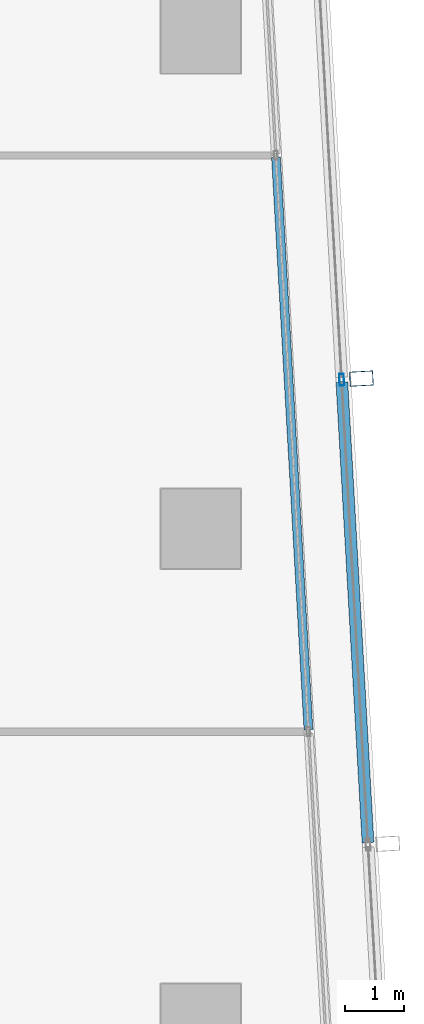
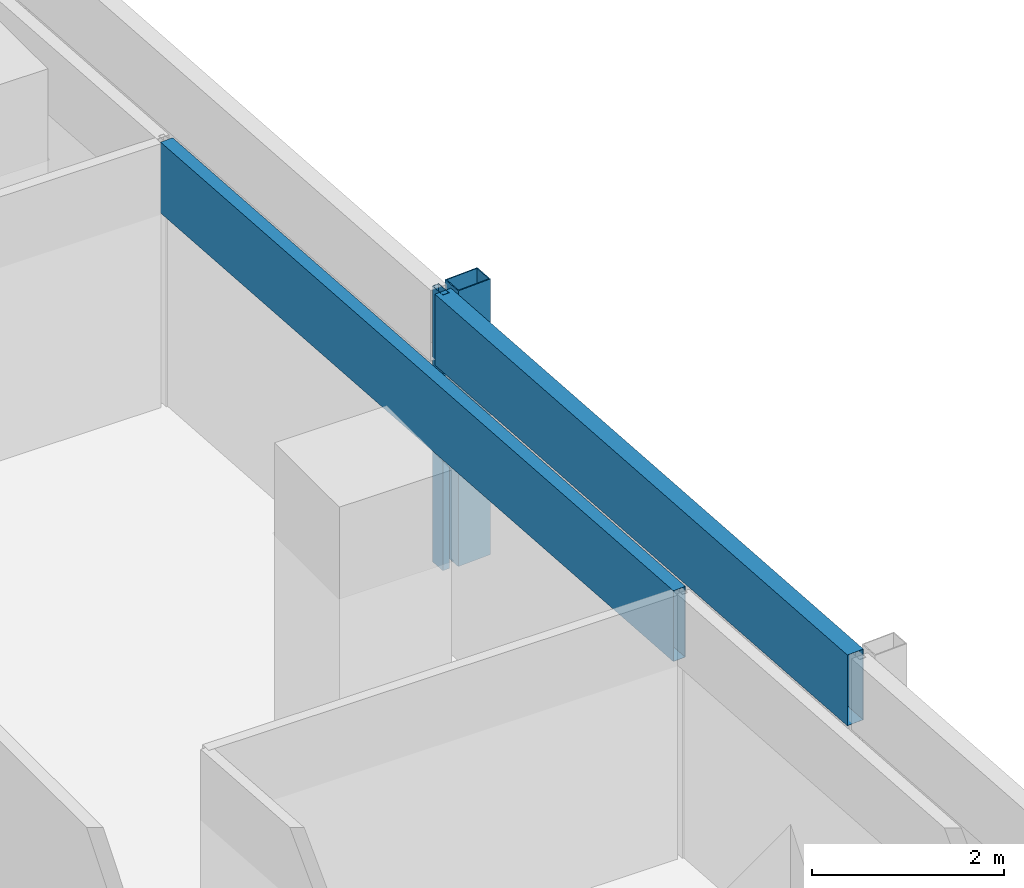
# One storey, part 15 of 40: 4 members, 2 elements without a shape of their own.
"""IFC4 building model written with IfcOpenShell, lengths in metres."""

import ifcopenshell
import ifcopenshell.guid

model = None  # the IFC model being written
_history = None  # IfcOwnerHistory: only IFC2X3 demands one
_inside = {}  # id of a spatial element -> (the spatial element, [elements in it])
_under = {}  # id of a project, library or spatial element -> (it, [spatial elements below it])
_declared = {}  # id of a project -> (the project, [libraries it declares])
_typed = {}  # id of a type object -> (the type object, [elements of that type])
_made_of = {}  # id of a material, layer set ... -> (it, [elements and type objects made of it])


def new_model(schema):
    """Start an empty IFC model of exactly this schema.

    Asked for "IFC4X3", IfcOpenShell would pick the latest addendum, in which some entities
    have other attributes; the version numbers below select the first issue.
    IFC2X3 requires an IfcOwnerHistory on every rooted entity: one is made here for all.
    """
    global model, _history
    if schema == "IFC4X3":
        model = ifcopenshell.file(schema_version=(4, 3, 0, 0))
    else:
        model = ifcopenshell.file(schema=schema)
    _inside.clear()
    _under.clear()
    _declared.clear()
    _typed.clear()
    _made_of.clear()
    _history = None
    if model.schema == "IFC2X3":
        org = make("IfcOrganization", Name="unknown")
        user = make(
            "IfcPersonAndOrganization",
            ThePerson=make("IfcPerson", FamilyName="unknown"),
            TheOrganization=org,
        )
        app = make(
            "IfcApplication",
            ApplicationDeveloper=org,
            Version="unknown",
            ApplicationFullName="unknown",
            ApplicationIdentifier="unknown",
        )
        _history = make(
            "IfcOwnerHistory",
            OwningUser=user,
            OwningApplication=app,
            ChangeAction="ADDED",
            CreationDate=0,
        )
    return model


def make(cls, **values):
    """One entity of the class cls with the attributes given. An attribute that is None is left unset."""
    return model.create_entity(
        cls, **{name: value for name, value in values.items() if value is not None}
    )


def rooted(cls, **values):
    """An entity with a GlobalId (a new one), such as an element, a storey or a relation."""
    return make(cls, GlobalId=ifcopenshell.guid.new(), OwnerHistory=_history, **values)


def si_unit(unit_type, name, prefix=None):
    """IfcSIUnit, for example si_unit("LENGTHUNIT", "METRE", prefix="MILLI")."""
    return make("IfcSIUnit", UnitType=unit_type, Prefix=prefix, Name=name)


def assignment(units):
    """IfcUnitAssignment: the units of a project."""
    return None if units is None else make("IfcUnitAssignment", Units=units)


def point(xyz):
    """IfcCartesianPoint."""
    return None if xyz is None else make("IfcCartesianPoint", Coordinates=xyz)


def direction(xyz):
    """IfcDirection."""
    return None if xyz is None else make("IfcDirection", DirectionRatios=xyz)


def frame(location, z_axis=None, x_axis=None):
    """IfcAxis2Placement3D, a coordinate frame: its origin and axes. An axis left out is left unset."""
    return make(
        "IfcAxis2Placement3D",
        Location=point(location),
        Axis=direction(z_axis),
        RefDirection=direction(x_axis),
    )


def frame_2d(location, x_axis=None):
    """IfcAxis2Placement2D, a coordinate frame in the plane: its origin and x axis."""
    return make(
        "IfcAxis2Placement2D", Location=point(location), RefDirection=direction(x_axis)
    )


def origin():
    """The frame at (0, 0, 0) with its axes left unset."""
    return frame((0.0, 0.0, 0.0))


def origin_2d():
    """The frame at (0, 0) in the plane with its x axis left unset."""
    return frame_2d((0.0, 0.0))


def place(relative_to, where):
    """IfcLocalPlacement: puts the frame where relative to a parent placement (None: the world)."""
    return make(
        "IfcLocalPlacement", PlacementRelTo=relative_to, RelativePlacement=where
    )


def context(
    kind, dimensions, precision=None, world=None, true_north=None, identifier=None
):
    """IfcGeometricRepresentationContext, for example the 3D "Model" context."""
    return make(
        "IfcGeometricRepresentationContext",
        ContextIdentifier=identifier,
        ContextType=kind,
        CoordinateSpaceDimension=dimensions,
        Precision=precision,
        WorldCoordinateSystem=world,
        TrueNorth=true_north,
    )


def subcontext(parent, identifier, kind, view, scale=None):
    """IfcGeometricRepresentationSubContext, for example "Body" below "Model"."""
    return make(
        "IfcGeometricRepresentationSubContext",
        ContextIdentifier=identifier,
        ContextType=kind,
        ParentContext=parent,
        TargetScale=scale,
        TargetView=view,
    )


def project(units=None, contexts=None):
    """IfcProject with its units and contexts."""
    return rooted(
        "IfcProject",
        Name="project",
        RepresentationContexts=contexts,
        UnitsInContext=assignment(units),
    )


def spatial(cls, under=None, at=None, **own):
    """A site, building, storey or space (cls), placed at a placement, below another one or the project."""
    s = rooted(cls, ObjectPlacement=at, **own)
    if under is not None:
        _under.setdefault(under.id(), (under, []))[1].append(s)
    return s


def profile(cls, at=None, kind="AREA", **sizes):
    """A parametric profile (cls). Its sizes go by their IFC names, for example OverallWidth=200.0."""
    return make(cls, ProfileType=kind, Position=at, **sizes)


def hollow_rectangle(**sizes):
    """IfcRectangleHollowProfileDef."""
    return profile("IfcRectangleHollowProfileDef", **sizes)


def extrude(swept, where, along, depth):
    """IfcExtrudedAreaSolid: the profile swept, set in the frame where, extruded along a direction by depth."""
    return make(
        "IfcExtrudedAreaSolid",
        SweptArea=swept,
        Position=where,
        ExtrudedDirection=direction(along),
        Depth=depth,
    )


def shape(context_of_items, identifier, shape_type, items):
    """IfcShapeRepresentation: the items that make up one representation, for example the "Body"."""
    return make(
        "IfcShapeRepresentation",
        ContextOfItems=context_of_items,
        RepresentationIdentifier=identifier,
        RepresentationType=shape_type,
        Items=items,
    )


def material(Name=None, Category=None):
    """IfcMaterial."""
    return make("IfcMaterial", Name=Name, Category=Category)


def material_profile(
    of_material, cross_section, Name=None, Category=None, Priority=None
):
    """IfcMaterialProfile: a cross section and its material."""
    return make(
        "IfcMaterialProfile",
        Name=Name,
        Material=of_material,
        Profile=cross_section,
        Priority=Priority,
        Category=Category,
    )


def profile_set(profiles, Name=None, composite=None):
    """IfcMaterialProfileSet."""
    return make(
        "IfcMaterialProfileSet",
        Name=Name,
        MaterialProfiles=profiles,
        CompositeProfile=composite,
    )


def made_of(thing, what):
    """Note that an element or type object is made of a material, layer set ...; save() writes the relation."""
    if what is not None:
        _made_of.setdefault(what.id(), (what, []))[1].append(thing)
    return thing


def type_object(cls, material=None, **own):
    """A type object (cls), such as IfcWallType, which elements share."""
    return made_of(rooted(cls, **own), material)


def element(
    cls,
    number,
    at=None,
    inside=None,
    cuts=None,
    type_object=None,
    material=None,
    context=None,
    identifier="Body",
    shape_type=None,
    held_by="IfcProductDefinitionShape",
    body=None,
    shapes=None,
    **own,
):
    """One element of the class cls, such as IfcWall. Its Tag is "e" and its number.

    at: its placement. inside: the storey or other place that contains it. cuts: it is an
    opening in that element (IfcRelVoidsElement). A single representation is given by context,
    identifier, shape_type and body (its items); several are given by shapes. held_by: the class
    of the entity that holds the representations. save() writes the other relations.
    """
    e = rooted(cls, Tag="e%d" % number, ObjectPlacement=at, **own)
    if body is not None:
        shapes = [shape(context, identifier, shape_type, body)]
    if shapes is not None:
        e.Representation = make(held_by, Representations=shapes)
    if inside is not None:
        _inside.setdefault(inside.id(), (inside, []))[1].append(e)
    if cuts is not None:
        rooted(
            "IfcRelVoidsElement", RelatingBuildingElement=cuts, RelatedOpeningElement=e
        )
    if type_object is not None:
        _typed.setdefault(type_object.id(), (type_object, []))[1].append(e)
    return made_of(e, material)


def aggregate(whole, parts):
    """IfcRelAggregates: a whole, such as a stair, and the parts it consists of."""
    return rooted("IfcRelAggregates", RelatingObject=whole, RelatedObjects=parts)


def save(model, path):
    """Write the relations noted so far, then the file.

    IfcRelAggregates (storeys below a building ...), IfcRelContainedInSpatialStructure (elements
    in a storey), IfcRelDefinesByType, IfcRelAssociatesMaterial and IfcRelDeclares: one each for
    every whole, place, type object, material and project.
    """
    for whole, parts in _under.values():
        aggregate(whole, parts)
    for where, things in _inside.values():
        rooted(
            "IfcRelContainedInSpatialStructure",
            RelatedElements=things,
            RelatingStructure=where,
        )
    for kind, things in _typed.values():
        rooted("IfcRelDefinesByType", RelatedObjects=things, RelatingType=kind)
    for what, things in _made_of.values():
        rooted("IfcRelAssociatesMaterial", RelatedObjects=things, RelatingMaterial=what)
    for by, libraries in _declared.values():
        rooted("IfcRelDeclares", RelatingContext=by, RelatedDefinitions=libraries)
    model.write(path)


model = new_model("IFC4")

# Units and contexts
model_context = context("Model", 3, precision=1e-05, world=origin(), true_north=direction((0.0, 1.0)))
body_context = subcontext(model_context, "Body", "Model", "MODEL_VIEW")
ifc_project = project(units=[si_unit("LENGTHUNIT", "METRE"), si_unit("AREAUNIT", "SQUARE_METRE"), si_unit("VOLUMEUNIT", "CUBIC_METRE"), si_unit("PLANEANGLEUNIT", "RADIAN"), si_unit("MASSUNIT", "GRAM", prefix="KILO")], contexts=[model_context])

# Site, building, storey
site_placement = place(None, origin())
site = spatial("IfcSite", under=ifc_project, at=site_placement, CompositionType="ELEMENT")
building_placement = place(site_placement, origin())
building = spatial("IfcBuilding", under=site, at=building_placement, Name="Rekha Terrace Tower", CompositionType="ELEMENT")
storey_placement = place(building_placement, frame((0.0, 0.0, 210.199951171875)))
storey = spatial("IfcBuildingStorey", under=building, at=storey_placement, Name="L53", CompositionType="ELEMENT", Elevation=210.199951171875)

# Curtain wall, member
ifc_material_1 = material(Name="Aluminium framing", Category="aluminium")
curtain_wall_type_1 = type_object("IfcCurtainWallType", Name="CW2 double skin outer glazing", PredefinedType="USERDEFINED", material=ifc_material_1)
curtain_wall_1_placement = place(storey_placement, origin())
curtain_wall_1 = element("IfcCurtainWall", 1, at=curtain_wall_1_placement, inside=storey, type_object=curtain_wall_type_1, Name="CW2 double skin outer glazing", ObjectType="DOUBLE SKIN OUTER GLAZING", PredefinedType="USERDEFINED")
ifc_material_2 = material(Name="Steel S355 with fluorocarbon finish", Category="steel")
ifc_material_profile_1 = material_profile(ifc_material_2, hollow_rectangle(XDim=0.25, YDim=0.39990234375, WallThickness=0.012451171875, at=origin_2d()), Name="RHS400x250x12.5")
ifc_profile_set_1 = profile_set([ifc_material_profile_1], Name="Steel S355 with fluorocarbon finish")
member_type_1 = type_object("IfcMemberType", Name="BL1 facade blade RHS 400 x 250", PredefinedType="USERDEFINED", material=ifc_profile_set_1)
member_1_placement = place(storey_placement, frame((61.528076171875, 44.546630859375, 0.0), z_axis=(0.0, 0.0, 1.0), x_axis=(-0.056673619809, 0.998392758797, 0.0)))
member_1 = element("IfcMember", 2, at=member_1_placement, type_object=member_type_1, Name="Facade blade", ObjectType="FACADE BLADE", PredefinedType="USERDEFINED", context=body_context, shape_type="SweptSolid", body=[
    extrude(hollow_rectangle(XDim=0.25, YDim=0.39990234375, WallThickness=0.012451171875, at=origin_2d()), origin(), (0.0, 0.0, 1.0), 3.5),
])

curtain_wall_type_2 = type_object("IfcCurtainWallType", Name="CW1 double skin inner glazing", PredefinedType="USERDEFINED", material=ifc_material_1)
curtain_wall_2_placement = place(storey_placement, origin())
curtain_wall_2 = element("IfcCurtainWall", 3, at=curtain_wall_2_placement, inside=storey, type_object=curtain_wall_type_2, Name="CW1 double skin inner glazing", ObjectType="DOUBLE SKIN INNER GLAZING", PredefinedType="USERDEFINED")
ifc_material_3 = material(Name="Insulated aluminium spandrel box", Category="aluminium")
ifc_material_profile_2 = material_profile(ifc_material_3, hollow_rectangle(XDim=0.14990234375, YDim=0.89990234375, WallThickness=0.0029296875, at=origin_2d()), Name="AL SPANDREL BOX 150x900")
ifc_profile_set_2 = profile_set([ifc_material_profile_2], Name="Insulated aluminium spandrel box")
member_type_2 = type_object("IfcMemberType", Name="CW1 spandrel transom 150 x 900", PredefinedType="USERDEFINED", material=ifc_profile_set_2)
member_2_placement = place(storey_placement, frame((60.629150390625, 38.588134765625, 3.050048828125), z_axis=(-0.056650211304, 0.998394087302, 0.0), x_axis=(-0.998394087302, -0.056650211304, 0.0)))
member_2 = element("IfcMember", 4, at=member_2_placement, type_object=member_type_2, Name="CW1 spandrel transom 2", ObjectType="TRANSOM", PredefinedType="USERDEFINED", context=body_context, shape_type="SweptSolid", body=[
    extrude(hollow_rectangle(XDim=0.14990234375, YDim=0.89990234375, WallThickness=0.0029296875, at=origin_2d()), origin(), (0.0, 0.0, 1.0), 9.726806640625),
])
aggregate(curtain_wall_2, [member_2])

# Member
ifc_material_4 = material(Name="Aluminium mullion section", Category="aluminium")
ifc_material_profile_3 = material_profile(ifc_material_4, hollow_rectangle(XDim=0.080078125, YDim=0.199951171875, WallThickness=0.00390625, at=origin_2d()), Name="AL RHS 80x200")
ifc_profile_set_3 = profile_set([ifc_material_profile_3], Name="Aluminium mullion section")
member_type_3 = type_object("IfcMemberType", Name="CW2 mullion RHS 80 x 200", PredefinedType="MULLION", material=ifc_profile_set_3)
member_3_placement = place(storey_placement, frame((61.193603515625, 44.527587890625, 0.0), z_axis=(0.0, 0.0, 1.0), x_axis=(-0.998392782919, -0.05667319486, 0.0)))
member_3 = element("IfcMember", 5, at=member_3_placement, type_object=member_type_3, Name="CW2 mullion 3", PredefinedType="MULLION", context=body_context, shape_type="SweptSolid", body=[
    extrude(hollow_rectangle(XDim=0.080078125, YDim=0.199951171875, WallThickness=0.00390625, at=origin_2d()), origin(), (0.0, 0.0, 1.0), 3.5),
])

ifc_material_profile_4 = material_profile(ifc_material_3, hollow_rectangle(XDim=0.199951171875, YDim=0.89990234375, WallThickness=0.0029296875, at=origin_2d()), Name="AL SPANDREL BOX 200x900")
ifc_profile_set_4 = profile_set([ifc_material_profile_4], Name="Insulated aluminium spandrel box")
member_type_4 = type_object("IfcMemberType", Name="CW2 spandrel transom 200 x 900", PredefinedType="USERDEFINED", material=ifc_profile_set_4)
member_4_placement = place(storey_placement, frame((61.63916015625, 36.6767578125, 3.050048828125), z_axis=(-0.056669428082, 0.998392996731, 0.0), x_axis=(-0.998392996731, -0.056669428082, 0.0)))
member_4 = element("IfcMember", 6, at=member_4_placement, type_object=member_type_4, Name="CW2 spandrel transom 2", ObjectType="TRANSOM", PredefinedType="USERDEFINED", context=body_context, shape_type="SweptSolid", body=[
    extrude(hollow_rectangle(XDim=0.199951171875, YDim=0.89990234375, WallThickness=0.0029296875, at=origin_2d()), origin(), (0.0, 0.0, 1.0), 7.823486328125),
])

aggregate(curtain_wall_1, [member_3, member_4, member_1])

save(model, "model.ifc")
